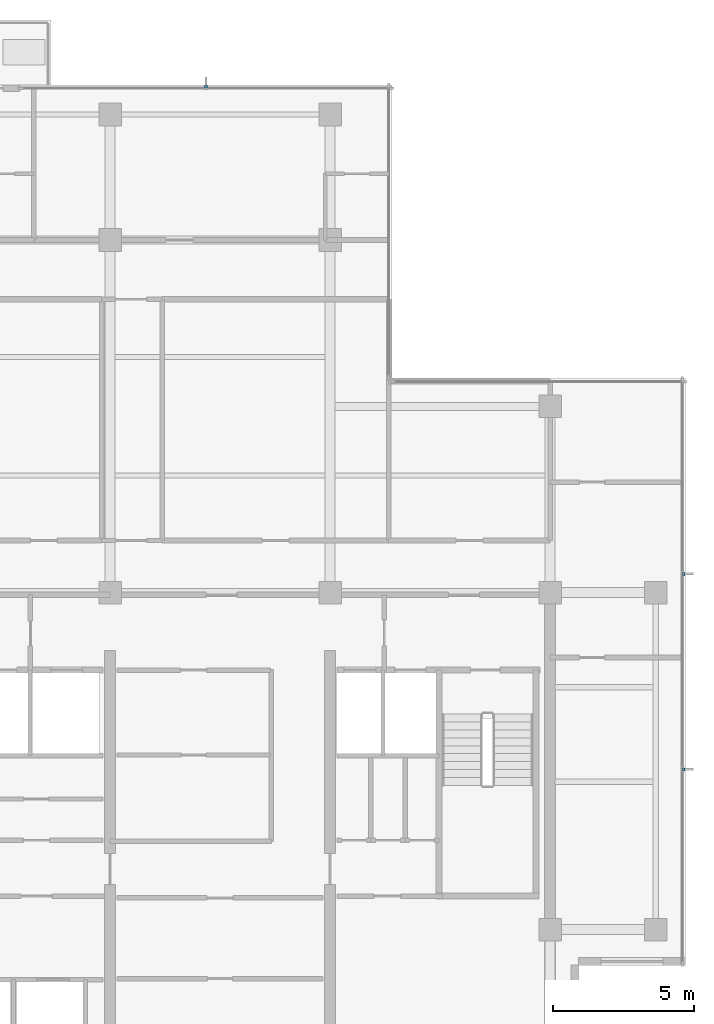
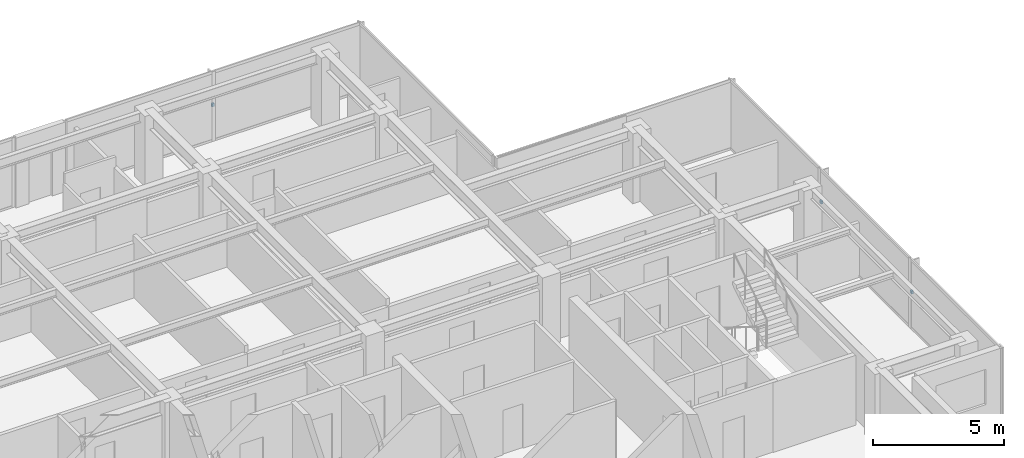
# One storey, part 10 of 11: 3 discrete accessories.
"""IFC4 building model written with IfcOpenShell, lengths in metres."""

import ifcopenshell
import ifcopenshell.guid

model = None  # the IFC model being written
_history = None  # IfcOwnerHistory: only IFC2X3 demands one
_inside = {}  # id of a spatial element -> (the spatial element, [elements in it])
_under = {}  # id of a project, library or spatial element -> (it, [spatial elements below it])
_declared = {}  # id of a project -> (the project, [libraries it declares])
_typed = {}  # id of a type object -> (the type object, [elements of that type])
_made_of = {}  # id of a material, layer set ... -> (it, [elements and type objects made of it])


def new_model(schema):
    """Start an empty IFC model of exactly this schema.

    Asked for "IFC4X3", IfcOpenShell would pick the latest addendum, in which some entities
    have other attributes; the version numbers below select the first issue.
    IFC2X3 requires an IfcOwnerHistory on every rooted entity: one is made here for all.
    """
    global model, _history
    if schema == "IFC4X3":
        model = ifcopenshell.file(schema_version=(4, 3, 0, 0))
    else:
        model = ifcopenshell.file(schema=schema)
    _inside.clear()
    _under.clear()
    _declared.clear()
    _typed.clear()
    _made_of.clear()
    _history = None
    if model.schema == "IFC2X3":
        org = make("IfcOrganization", Name="unknown")
        user = make(
            "IfcPersonAndOrganization",
            ThePerson=make("IfcPerson", FamilyName="unknown"),
            TheOrganization=org,
        )
        app = make(
            "IfcApplication",
            ApplicationDeveloper=org,
            Version="unknown",
            ApplicationFullName="unknown",
            ApplicationIdentifier="unknown",
        )
        _history = make(
            "IfcOwnerHistory",
            OwningUser=user,
            OwningApplication=app,
            ChangeAction="ADDED",
            CreationDate=0,
        )
    return model


def make(cls, **values):
    """One entity of the class cls with the attributes given. An attribute that is None is left unset."""
    return model.create_entity(
        cls, **{name: value for name, value in values.items() if value is not None}
    )


def rooted(cls, **values):
    """An entity with a GlobalId (a new one), such as an element, a storey or a relation."""
    return make(cls, GlobalId=ifcopenshell.guid.new(), OwnerHistory=_history, **values)


def si_unit(unit_type, name, prefix=None):
    """IfcSIUnit, for example si_unit("LENGTHUNIT", "METRE", prefix="MILLI")."""
    return make("IfcSIUnit", UnitType=unit_type, Prefix=prefix, Name=name)


def assignment(units):
    """IfcUnitAssignment: the units of a project."""
    return None if units is None else make("IfcUnitAssignment", Units=units)


def point(xyz):
    """IfcCartesianPoint."""
    return None if xyz is None else make("IfcCartesianPoint", Coordinates=xyz)


def direction(xyz):
    """IfcDirection."""
    return None if xyz is None else make("IfcDirection", DirectionRatios=xyz)


def frame(location, z_axis=None, x_axis=None):
    """IfcAxis2Placement3D, a coordinate frame: its origin and axes. An axis left out is left unset."""
    return make(
        "IfcAxis2Placement3D",
        Location=point(location),
        Axis=direction(z_axis),
        RefDirection=direction(x_axis),
    )


def origin():
    """The frame at (0, 0, 0) with its axes left unset."""
    return frame((0.0, 0.0, 0.0))


def place(relative_to, where):
    """IfcLocalPlacement: puts the frame where relative to a parent placement (None: the world)."""
    return make(
        "IfcLocalPlacement", PlacementRelTo=relative_to, RelativePlacement=where
    )


def context(
    kind, dimensions, precision=None, world=None, true_north=None, identifier=None
):
    """IfcGeometricRepresentationContext, for example the 3D "Model" context."""
    return make(
        "IfcGeometricRepresentationContext",
        ContextIdentifier=identifier,
        ContextType=kind,
        CoordinateSpaceDimension=dimensions,
        Precision=precision,
        WorldCoordinateSystem=world,
        TrueNorth=true_north,
    )


def subcontext(parent, identifier, kind, view, scale=None):
    """IfcGeometricRepresentationSubContext, for example "Body" below "Model"."""
    return make(
        "IfcGeometricRepresentationSubContext",
        ContextIdentifier=identifier,
        ContextType=kind,
        ParentContext=parent,
        TargetScale=scale,
        TargetView=view,
    )


def project(units=None, contexts=None):
    """IfcProject with its units and contexts."""
    return rooted(
        "IfcProject",
        Name="project",
        RepresentationContexts=contexts,
        UnitsInContext=assignment(units),
    )


def spatial(cls, under=None, at=None, **own):
    """A site, building, storey or space (cls), placed at a placement, below another one or the project."""
    s = rooted(cls, ObjectPlacement=at, **own)
    if under is not None:
        _under.setdefault(under.id(), (under, []))[1].append(s)
    return s


def polyline(points):
    """IfcPolyline through the points."""
    return make("IfcPolyline", Points=[point(p) for p in points])


def outline(outer, holes=None, kind="AREA"):
    """IfcArbitraryClosedProfileDef: a profile drawn as a closed curve; with holes, ...WithVoids."""
    if holes is None:
        return make("IfcArbitraryClosedProfileDef", ProfileType=kind, OuterCurve=outer)
    return make(
        "IfcArbitraryProfileDefWithVoids",
        ProfileType=kind,
        OuterCurve=outer,
        InnerCurves=holes,
    )


def extrude(swept, where, along, depth):
    """IfcExtrudedAreaSolid: the profile swept, set in the frame where, extruded along a direction by depth."""
    return make(
        "IfcExtrudedAreaSolid",
        SweptArea=swept,
        Position=where,
        ExtrudedDirection=direction(along),
        Depth=depth,
    )


def shape(context_of_items, identifier, shape_type, items):
    """IfcShapeRepresentation: the items that make up one representation, for example the "Body"."""
    return make(
        "IfcShapeRepresentation",
        ContextOfItems=context_of_items,
        RepresentationIdentifier=identifier,
        RepresentationType=shape_type,
        Items=items,
    )


def material(Name=None, Category=None):
    """IfcMaterial."""
    return make("IfcMaterial", Name=Name, Category=Category)


def made_of(thing, what):
    """Note that an element or type object is made of a material, layer set ...; save() writes the relation."""
    if what is not None:
        _made_of.setdefault(what.id(), (what, []))[1].append(thing)
    return thing


def type_object(cls, material=None, **own):
    """A type object (cls), such as IfcWallType, which elements share."""
    return made_of(rooted(cls, **own), material)


def element(
    cls,
    number,
    at=None,
    inside=None,
    cuts=None,
    type_object=None,
    material=None,
    context=None,
    identifier="Body",
    shape_type=None,
    held_by="IfcProductDefinitionShape",
    body=None,
    shapes=None,
    **own,
):
    """One element of the class cls, such as IfcWall. Its Tag is "e" and its number.

    at: its placement. inside: the storey or other place that contains it. cuts: it is an
    opening in that element (IfcRelVoidsElement). A single representation is given by context,
    identifier, shape_type and body (its items); several are given by shapes. held_by: the class
    of the entity that holds the representations. save() writes the other relations.
    """
    e = rooted(cls, Tag="e%d" % number, ObjectPlacement=at, **own)
    if body is not None:
        shapes = [shape(context, identifier, shape_type, body)]
    if shapes is not None:
        e.Representation = make(held_by, Representations=shapes)
    if inside is not None:
        _inside.setdefault(inside.id(), (inside, []))[1].append(e)
    if cuts is not None:
        rooted(
            "IfcRelVoidsElement", RelatingBuildingElement=cuts, RelatedOpeningElement=e
        )
    if type_object is not None:
        _typed.setdefault(type_object.id(), (type_object, []))[1].append(e)
    return made_of(e, material)


def aggregate(whole, parts):
    """IfcRelAggregates: a whole, such as a stair, and the parts it consists of."""
    return rooted("IfcRelAggregates", RelatingObject=whole, RelatedObjects=parts)


def save(model, path):
    """Write the relations noted so far, then the file.

    IfcRelAggregates (storeys below a building ...), IfcRelContainedInSpatialStructure (elements
    in a storey), IfcRelDefinesByType, IfcRelAssociatesMaterial and IfcRelDeclares: one each for
    every whole, place, type object, material and project.
    """
    for whole, parts in _under.values():
        aggregate(whole, parts)
    for where, things in _inside.values():
        rooted(
            "IfcRelContainedInSpatialStructure",
            RelatedElements=things,
            RelatingStructure=where,
        )
    for kind, things in _typed.values():
        rooted("IfcRelDefinesByType", RelatedObjects=things, RelatingType=kind)
    for what, things in _made_of.values():
        rooted("IfcRelAssociatesMaterial", RelatedObjects=things, RelatingMaterial=what)
    for by, libraries in _declared.values():
        rooted("IfcRelDeclares", RelatingContext=by, RelatedDefinitions=libraries)
    model.write(path)


model = new_model("IFC4")

# Units and contexts
model_context = context("Model", 3, precision=1e-05, world=origin(), true_north=direction((0.0, 1.0)))
body_context = subcontext(model_context, "Body", "Model", "MODEL_VIEW")
ifc_project = project(units=[si_unit("LENGTHUNIT", "METRE"), si_unit("AREAUNIT", "SQUARE_METRE"), si_unit("VOLUMEUNIT", "CUBIC_METRE"), si_unit("PLANEANGLEUNIT", "RADIAN"), si_unit("MASSUNIT", "GRAM", prefix="KILO")], contexts=[model_context])

# Site, building, storey
site_placement = place(None, origin())
site = spatial("IfcSite", under=ifc_project, at=site_placement, CompositionType="ELEMENT")
building_placement = place(site_placement, origin())
building = spatial("IfcBuilding", under=site, at=building_placement, Name="Qalmaran Belvedere Hotel", CompositionType="ELEMENT")
storey_placement = place(building_placement, frame((0.0, 0.0, 273.89990234375)))
storey = spatial("IfcBuildingStorey", under=building, at=storey_placement, Name="L71", CompositionType="ELEMENT", Elevation=273.89990234375)

# Discrete accessories
ifc_material = material(Name="Stainless Steel 1.4401", Category="steel")
discrete_accessory_type = type_object("IfcDiscreteAccessoryType", Name="BRK-FIN-SS316", PredefinedType="BRACKET", material=ifc_material)
discrete_accessory_1_placement = place(storey_placement, frame((0.0, 0.0, 1.580078125)))
element("IfcDiscreteAccessory", 1, at=discrete_accessory_1_placement, inside=storey, type_object=discrete_accessory_type, Name="L71 Fin Bracket 1", PredefinedType="BRACKET", context=body_context, shape_type="SweptSolid", body=[
    extrude(outline(polyline([(49.4951171875, 14.17822265625), (49.58740234375, 14.17822265625), (49.58740234375, 14.288330078125), (49.4951171875, 14.288330078125), (49.4951171875, 14.17822265625)])), origin(), (0.0, 0.0, 1.0), 0.14013671875),
])
discrete_accessory_2_placement = place(storey_placement, frame((0.0, 0.0, 1.580078125)))
element("IfcDiscreteAccessory", 2, at=discrete_accessory_2_placement, inside=storey, type_object=discrete_accessory_type, Name="L71 Fin Bracket 2", PredefinedType="BRACKET", context=body_context, shape_type="SweptSolid", body=[
    extrude(outline(polyline([(49.4951171875, 21.11181640625), (49.58740234375, 21.11181640625), (49.58740234375, 21.2216796875), (49.4951171875, 21.2216796875), (49.4951171875, 21.11181640625)])), origin(), (0.0, 0.0, 1.0), 0.14013671875),
])
discrete_accessory_3_placement = place(storey_placement, frame((0.0, 0.0, 1.580078125)))
element("IfcDiscreteAccessory", 3, at=discrete_accessory_3_placement, inside=storey, type_object=discrete_accessory_type, Name="L71 Fin Bracket 1", PredefinedType="BRACKET", context=body_context, shape_type="SweptSolid", body=[
    extrude(outline(polyline([(32.655029296875, 38.39501953125), (32.655029296875, 38.487548828125), (32.544921875, 38.487548828125), (32.544921875, 38.39501953125), (32.655029296875, 38.39501953125)])), origin(), (0.0, 0.0, 1.0), 0.14013671875),
])

save(model, "model.ifc")
